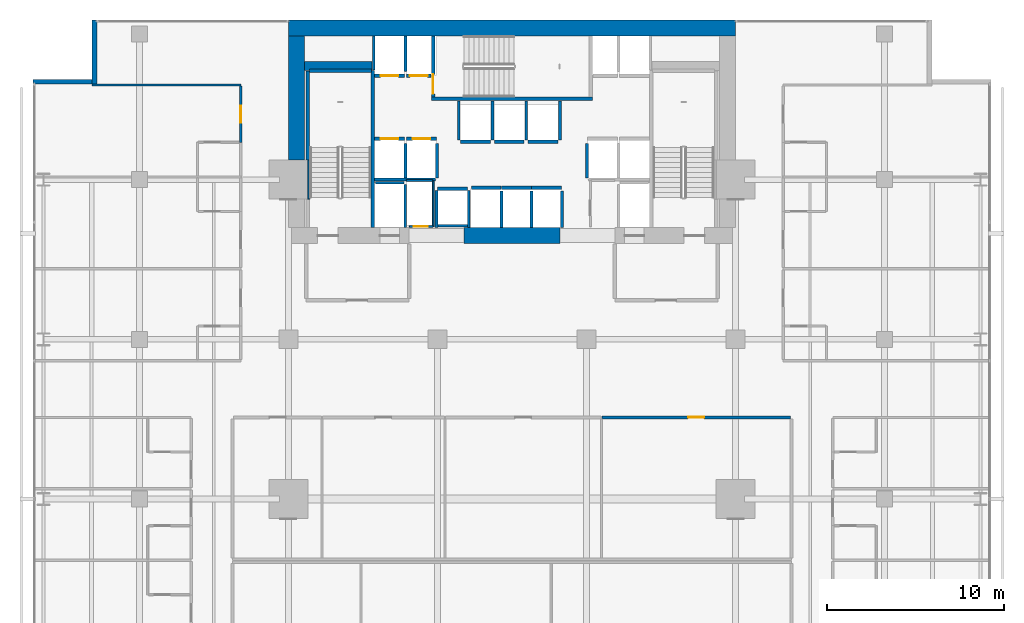
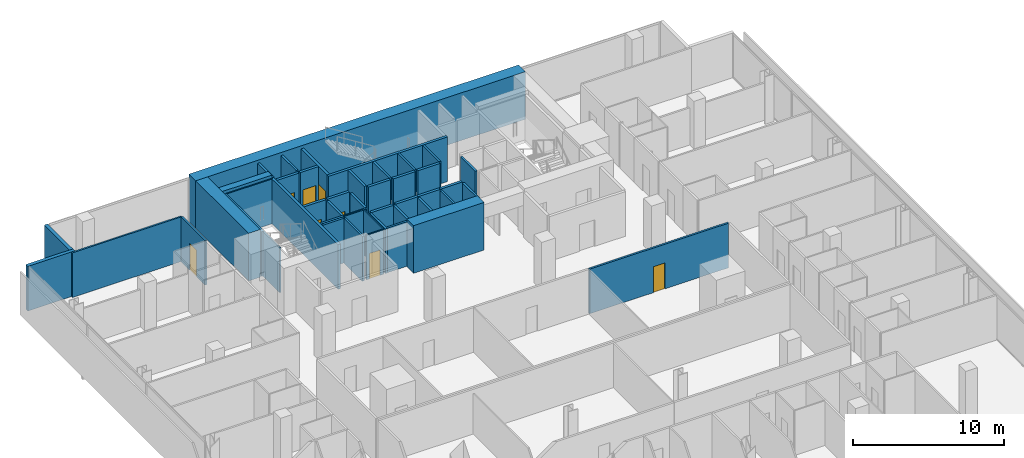
# One storey, part 36 of 40: 47 walls, 8 doors, 8 openings.
"""IFC4 building model written with IfcOpenShell, lengths in metres."""

from ifc_helpers import new_model, si_unit, direction, frame, frame_2d, origin, place, context, subcontext, project, spatial, rectangle, extrude, material, layer, layer_set, type_object, element, fill, save


model = new_model("IFC4")

# Units and contexts
model_context = context("Model", 3, precision=1e-05, world=origin(), true_north=direction((0.0, 1.0)))
body_context = subcontext(model_context, "Body", "Model", "MODEL_VIEW")
ifc_project = project(units=[si_unit("LENGTHUNIT", "METRE"), si_unit("AREAUNIT", "SQUARE_METRE"), si_unit("VOLUMEUNIT", "CUBIC_METRE"), si_unit("PLANEANGLEUNIT", "RADIAN"), si_unit("MASSUNIT", "GRAM", prefix="KILO")], contexts=[model_context])

# Site, building, storey
site_placement = place(None, origin())
site = spatial("IfcSite", under=ifc_project, at=site_placement, CompositionType="ELEMENT")
building_placement = place(site_placement, origin())
building = spatial("IfcBuilding", under=site, at=building_placement, Name="Maruvema Waterfront Hotel and Observation Tower", CompositionType="ELEMENT")
storey_placement = place(building_placement, frame((0.0, 0.0, 80.85009765625)))
storey = spatial("IfcBuildingStorey", under=building, at=storey_placement, Name="L19", CompositionType="ELEMENT", Elevation=80.85009765625)

# Wall, opening, door
ifc_material_1 = material(Name="Twin-stud acoustic gypsum drywall", Category="gypsum")
ifc_layer_1 = layer(ifc_material_1, 0.14990234375, Name="Acoustic Corridor and Suite Demising Wall 150 mm")
ifc_layer_set_1 = layer_set([ifc_layer_1], Name="Twin-stud acoustic gypsum drywall")
wall_type_1 = type_object("IfcWallType", Name="Acoustic Corridor and Suite Demising Wall 150 mm", PredefinedType="PARTITIONING", material=ifc_layer_set_1)
wall_1_placement = place(storey_placement, frame((42.8701171875, 31.60009765625, 0.0), z_axis=(0.0, 0.0, 1.0), x_axis=(1.0, 0.0, 0.0)))
wall_1 = element("IfcWall", 1, at=wall_1_placement, inside=storey, type_object=wall_type_1, Name="L19 L19-INTN Front 4 021", PredefinedType="PARTITIONING", context=body_context, shape_type="SweptSolid", body=[
    extrude(rectangle(XDim=10.619873046875, YDim=0.14990234375, at=frame_2d((5.31005859375, 0.0))), origin(), (0.0, 0.0, 1.0), 3.60986328125),
])
opening_1_placement = place(wall_1_placement, frame((4.860107421875, 0.0, 0.0)))
opening_1 = element("IfcOpeningElement", 2, at=opening_1_placement, cuts=wall_1, Name="Opening DR-090", PredefinedType="OPENING", context=body_context, shape_type="SweptSolid", body=[
    extrude(rectangle(XDim=0.89990234375, YDim=2.10009765625, at=frame_2d((0.449951171875, 1.050048828125))), frame((0.0, 0.0849609375, 0.0), z_axis=(0.0, -1.0, 0.0), x_axis=(1.0, 0.0, 0.0)), (0.0, 0.0, 1.0), 0.169921875),
])
ifc_material_2 = material(Name="Solid-core lacquered timber leaf", Category="wood")
door_type_1 = type_object("IfcDoorType", Name="Accessible Toilet and Room Door 900x2100 mm", OperationType="NOTDEFINED", PredefinedType="DOOR", material=ifc_material_2)
door_1_placement = place(opening_1_placement, origin())
door_1 = element("IfcDoor", 3, at=door_1_placement, inside=storey, type_object=door_type_1, Name="L19 Refreshment Kitchen Door", OperationType="SINGLE_SWING_LEFT", OverallHeight=2.10009765625, OverallWidth=0.89990234375, PredefinedType="DOOR", context=body_context, shape_type="SweptSolid", body=[
    extrude(rectangle(XDim=0.89990234375, YDim=2.10009765625, at=frame_2d((0.449951171875, 1.050048828125))), frame((0.0, 0.02490234375, 0.0), z_axis=(0.0, -1.0, 0.0), x_axis=(1.0, 0.0, 0.0)), (0.0, 0.0, 1.0), 0.050048828125),
])
fill(opening_1, door_1)

wall_2_placement = place(storey_placement, frame((22.52001953125, 47.1083984375, 0.0), z_axis=(0.0, 0.0, 1.0), x_axis=(0.0, 1.0, 0.0)))
wall_2 = element("IfcWall", 4, at=wall_2_placement, inside=storey, type_object=wall_type_1, Name="L19 Room L19-NW3 Corridor Wall 133", PredefinedType="PARTITIONING", context=body_context, shape_type="SweptSolid", body=[
    extrude(rectangle(XDim=3.169189453125, YDim=0.14990234375, at=frame_2d((1.58447265625, 0.0))), origin(), (0.0, 0.0, 1.0), 3.60986328125),
])
opening_2_placement = place(wall_2_placement, frame((1.109619140625, 0.0, 0.0)))
opening_2 = element("IfcOpeningElement", 5, at=opening_2_placement, cuts=wall_2, Name="Opening DR-095", PredefinedType="OPENING", context=body_context, shape_type="SweptSolid", body=[
    extrude(rectangle(XDim=0.949951171875, YDim=2.14990234375, at=frame_2d((0.47509765625, 1.074951171875))), frame((0.0, 0.0849609375, 0.0), z_axis=(0.0, -1.0, 0.0), x_axis=(1.0, 0.0, 0.0)), (0.0, 0.0, 1.0), 0.169921875),
])
ifc_material_3 = material(Name="Acoustic solid-core hardwood timber leaf", Category="wood")
door_type_2 = type_object("IfcDoorType", Name="Guestroom Entrance Fire Door 950x2150 mm", OperationType="NOTDEFINED", PredefinedType="DOOR", material=ifc_material_3)
door_2_placement = place(opening_2_placement, origin())
door_2 = element("IfcDoor", 6, at=door_2_placement, inside=storey, type_object=door_type_2, Name="L19 Room L19-NW3 Entrance Door", OperationType="SINGLE_SWING_LEFT", OverallHeight=2.14990234375, OverallWidth=0.949951171875, PredefinedType="DOOR", context=body_context, shape_type="SweptSolid", body=[
    extrude(rectangle(XDim=0.949951171875, YDim=2.14990234375, at=frame_2d((0.47509765625, 1.074951171875))), frame((0.0, 0.02490234375, 0.0), z_axis=(0.0, -1.0, 0.0), x_axis=(1.0, 0.0, 0.0)), (0.0, 0.0, 1.0), 0.050048828125),
])
fill(opening_2, door_2)

# Walls
ifc_material_4 = material(Name="Precast concrete C45/55", Category="concrete")
ifc_layer_2 = layer(ifc_material_4, 0.199951171875, Name="Core Shaft and Stairwell Enclosure Wall 200 mm")
ifc_layer_set_2 = layer_set([ifc_layer_2], Name="Precast concrete C45/55")
wall_type_2 = type_object("IfcWallType", Name="Core Shaft and Stairwell Enclosure Wall 200 mm", PredefinedType="SOLIDWALL", material=ifc_layer_set_2)
wall_3_placement = place(storey_placement, frame((29.949951171875, 42.300048828125, 0.0), z_axis=(0.0, 0.0, 1.0), x_axis=(0.0, 1.0, 0.0)))
element("IfcWall", 7, at=wall_3_placement, inside=storey, type_object=wall_type_2, Name="L19 Stairwell ST-01 East Shaft Wall", PredefinedType="SOLIDWALL", context=body_context, shape_type="SweptSolid", body=[
    extrude(rectangle(XDim=8.849853515625, YDim=0.199951171875, at=frame_2d((4.4248046875, 0.0))), origin(), (0.0, 0.0, 1.0), 3.60986328125),
])
wall_4_placement = place(storey_placement, frame((26.300048828125, 46.1201171875, 0.0), z_axis=(0.0, 0.0, 1.0), x_axis=(0.0, 1.0, 0.0)))
element("IfcWall", 8, at=wall_4_placement, inside=storey, type_object=wall_type_2, Name="L19 Stairwell ST-01 Shaft Lining Wall", PredefinedType="SOLIDWALL", context=body_context, shape_type="SweptSolid", body=[
    extrude(rectangle(XDim=5.0, YDim=0.199951171875, at=frame_2d((2.5, 0.0))), origin(), (0.0, 0.0, 1.0), 3.60986328125),
])
wall_5_placement = place(storey_placement, frame((26.3798828125, 51.14990234375, 0.0), z_axis=(0.0, 0.0, 1.0), x_axis=(1.0, 0.0, 0.0)))
element("IfcWall", 9, at=wall_5_placement, inside=storey, type_object=wall_type_2, Name="L19 Stairwell ST-01 Shaft Lining Wall", PredefinedType="SOLIDWALL", context=body_context, shape_type="SweptSolid", body=[
    extrude(rectangle(XDim=3.5, YDim=0.199951171875, at=frame_2d((1.75, 0.0))), origin(), (0.0, 0.0, 1.0), 3.60986328125),
])
wall_6_placement = place(storey_placement, frame((33.25, 49.550048828125, 0.0), z_axis=(0.0, 0.0, 1.0), x_axis=(1.0, 0.0, 0.0)))
element("IfcWall", 10, at=wall_6_placement, inside=storey, type_object=wall_type_2, Name="L19 Stairwell ST-02 Shaft Wall", PredefinedType="SOLIDWALL", context=body_context, shape_type="SweptSolid", body=[
    extrude(rectangle(XDim=9.10009765625, YDim=0.199951171875, at=frame_2d((4.550048828125, 0.0))), origin(), (0.0, 0.0, 1.0), 3.60986328125),
])

# Wall, opening, door
wall_7_placement = place(storey_placement, frame((33.35009765625, 49.64990234375, 0.0), z_axis=(0.0, 0.0, 1.0), x_axis=(0.0, 1.0, 0.0)))
wall_7 = element("IfcWall", 11, at=wall_7_placement, inside=storey, type_object=wall_type_2, Name="L19 Stairwell ST-02 Shaft Wall", PredefinedType="SOLIDWALL", context=body_context, shape_type="SweptSolid", body=[
    extrude(rectangle(XDim=3.4501953125, YDim=0.199951171875, at=frame_2d((1.72509765625, 0.0))), origin(), (0.0, 0.0, 1.0), 3.60986328125),
])
opening_3_placement = place(wall_7_placement, frame((0.179931640625, 0.0, 0.0)))
opening_3 = element("IfcOpeningElement", 12, at=opening_3_placement, cuts=wall_7, Name="Opening SD-02", PredefinedType="OPENING", context=body_context, shape_type="SweptSolid", body=[
    extrude(rectangle(XDim=1.10009765625, YDim=2.14990234375, at=frame_2d((0.550048828125, 1.074951171875))), frame((0.0, 0.10986328125, 0.0), z_axis=(0.0, -1.0, 0.0), x_axis=(1.0, 0.0, 0.0)), (0.0, 0.0, 1.0), 0.219970703125),
])
ifc_material_5 = material(Name="Fire-rated galvanised steel leaf", Category="steel")
door_type_3 = type_object("IfcDoorType", Name="Central Exit Stair Fire Door 1100x2150 mm", OperationType="NOTDEFINED", PredefinedType="DOOR", material=ifc_material_5)
door_3_placement = place(opening_3_placement, frame((1.10009765625, 0.0, 0.0), z_axis=(0.0, 0.0, 1.0), x_axis=(-1.0, 0.0, 0.0)))
door_3 = element("IfcDoor", 13, at=door_3_placement, inside=storey, type_object=door_type_3, Name="L19 Exit Stair ST-02 Fire Door", OperationType="SINGLE_SWING_LEFT", OverallHeight=2.14990234375, OverallWidth=1.10009765625, PredefinedType="DOOR", context=body_context, shape_type="SweptSolid", body=[
    extrude(rectangle(XDim=1.10009765625, YDim=2.14990234375, at=frame_2d((0.550048828125, 1.074951171875))), frame((0.0, 0.02490234375, 0.0), z_axis=(0.0, -1.0, 0.0), x_axis=(1.0, 0.0, 0.0)), (0.0, 0.0, 1.0), 0.050048828125),
])
fill(opening_3, door_3)

wall_8_placement = place(storey_placement, frame((30.06005859375, 47.300048828125, 0.0), z_axis=(0.0, 0.0, 1.0), x_axis=(1.0, 0.0, 0.0)))
wall_8 = element("IfcWall", 14, at=wall_8_placement, inside=storey, type_object=wall_type_2, Name="L19 Lift LF-01 Hoistway Front Wall", PredefinedType="SOLIDWALL", context=body_context, shape_type="SweptSolid", body=[
    extrude(rectangle(XDim=1.679931640625, YDim=0.199951171875, at=frame_2d((0.83984375, 0.0))), origin(), (0.0, 0.0, 1.0), 3.60986328125),
])
opening_4_placement = place(wall_8_placement, frame((0.340087890625, 0.0, 0.0)))
opening_4 = element("IfcOpeningElement", 15, at=opening_4_placement, cuts=wall_8, Name="Opening LD-01", PredefinedType="OPENING", context=body_context, shape_type="SweptSolid", body=[
    extrude(rectangle(XDim=1.0, YDim=2.14990234375, at=frame_2d((0.5, 1.074951171875))), frame((0.0, 0.10986328125, 0.0), z_axis=(0.0, -1.0, 0.0), x_axis=(1.0, 0.0, 0.0)), (0.0, 0.0, 1.0), 0.219970703125),
])
ifc_material_6 = material(Name="Brushed stainless steel Grade 316", Category="steel")
door_type_4 = type_object("IfcDoorType", Name="Passenger Lift Sliding Landing Door 1000x2150 mm", OperationType="SLIDING_TO_LEFT", PredefinedType="DOOR", material=ifc_material_6)
door_4_placement = place(opening_4_placement, origin())
door_4 = element("IfcDoor", 16, at=door_4_placement, inside=storey, type_object=door_type_4, Name="L19 Lift LF-01 Sliding Landing Door", OperationType="SLIDING_TO_LEFT", OverallHeight=2.14990234375, OverallWidth=1.0, PredefinedType="DOOR", context=body_context, shape_type="SweptSolid", body=[
    extrude(rectangle(XDim=1.0, YDim=2.14990234375, at=frame_2d((0.5, 1.074951171875))), frame((0.0, 0.02490234375, 0.0), z_axis=(0.0, -1.0, 0.0), x_axis=(1.0, 0.0, 0.0)), (0.0, 0.0, 1.0), 0.050048828125),
])
fill(opening_4, door_4)

wall_9_placement = place(storey_placement, frame((31.860107421875, 47.300048828125, 0.0), z_axis=(0.0, 0.0, 1.0), x_axis=(1.0, 0.0, 0.0)))
wall_9 = element("IfcWall", 17, at=wall_9_placement, inside=storey, type_object=wall_type_2, Name="L19 Lift LF-02 Hoistway Front Wall", PredefinedType="SOLIDWALL", context=body_context, shape_type="SweptSolid", body=[
    extrude(rectangle(XDim=1.679931640625, YDim=0.199951171875, at=frame_2d((0.83984375, 0.0))), origin(), (0.0, 0.0, 1.0), 3.60986328125),
])
opening_5_placement = place(wall_9_placement, frame((0.340087890625, 0.0, 0.0)))
opening_5 = element("IfcOpeningElement", 18, at=opening_5_placement, cuts=wall_9, Name="Opening LD-01", PredefinedType="OPENING", context=body_context, shape_type="SweptSolid", body=[
    extrude(rectangle(XDim=1.0, YDim=2.14990234375, at=frame_2d((0.5, 1.074951171875))), frame((0.0, 0.10986328125, 0.0), z_axis=(0.0, -1.0, 0.0), x_axis=(1.0, 0.0, 0.0)), (0.0, 0.0, 1.0), 0.219970703125),
])
door_5_placement = place(opening_5_placement, origin())
door_5 = element("IfcDoor", 19, at=door_5_placement, inside=storey, type_object=door_type_4, Name="L19 Lift LF-02 Sliding Landing Door", OperationType="SLIDING_TO_LEFT", OverallHeight=2.14990234375, OverallWidth=1.0, PredefinedType="DOOR", context=body_context, shape_type="SweptSolid", body=[
    extrude(rectangle(XDim=1.0, YDim=2.14990234375, at=frame_2d((0.5, 1.074951171875))), frame((0.0, 0.02490234375, 0.0), z_axis=(0.0, -1.0, 0.0), x_axis=(1.0, 0.0, 0.0)), (0.0, 0.0, 1.0), 0.050048828125),
])
fill(opening_5, door_5)

wall_10_placement = place(storey_placement, frame((30.06005859375, 50.85009765625, 0.0), z_axis=(0.0, 0.0, 1.0), x_axis=(1.0, 0.0, 0.0)))
wall_10 = element("IfcWall", 20, at=wall_10_placement, inside=storey, type_object=wall_type_2, Name="L19 Lift LF-03 Hoistway Front Wall", PredefinedType="SOLIDWALL", context=body_context, shape_type="SweptSolid", body=[
    extrude(rectangle(XDim=1.679931640625, YDim=0.199951171875, at=frame_2d((0.83984375, 0.0))), origin(), (0.0, 0.0, 1.0), 3.60986328125),
])
opening_6_placement = place(wall_10_placement, frame((0.340087890625, 0.0, 0.0)))
opening_6 = element("IfcOpeningElement", 21, at=opening_6_placement, cuts=wall_10, Name="Opening LD-01", PredefinedType="OPENING", context=body_context, shape_type="SweptSolid", body=[
    extrude(rectangle(XDim=1.0, YDim=2.14990234375, at=frame_2d((0.5, 1.074951171875))), frame((0.0, 0.10986328125, 0.0), z_axis=(0.0, -1.0, 0.0), x_axis=(1.0, 0.0, 0.0)), (0.0, 0.0, 1.0), 0.219970703125),
])
door_6_placement = place(opening_6_placement, frame((1.0, 0.0, 0.0), z_axis=(0.0, 0.0, 1.0), x_axis=(-1.0, 0.0, 0.0)))
door_6 = element("IfcDoor", 22, at=door_6_placement, inside=storey, type_object=door_type_4, Name="L19 Lift LF-03 Sliding Landing Door", OperationType="SLIDING_TO_LEFT", OverallHeight=2.14990234375, OverallWidth=1.0, PredefinedType="DOOR", context=body_context, shape_type="SweptSolid", body=[
    extrude(rectangle(XDim=1.0, YDim=2.14990234375, at=frame_2d((0.5, 1.074951171875))), frame((0.0, 0.02490234375, 0.0), z_axis=(0.0, -1.0, 0.0), x_axis=(1.0, 0.0, 0.0)), (0.0, 0.0, 1.0), 0.050048828125),
])
fill(opening_6, door_6)

wall_11_placement = place(storey_placement, frame((31.860107421875, 50.85009765625, 0.0), z_axis=(0.0, 0.0, 1.0), x_axis=(1.0, 0.0, 0.0)))
wall_11 = element("IfcWall", 23, at=wall_11_placement, inside=storey, type_object=wall_type_2, Name="L19 Lift LF-04 Hoistway Front Wall", PredefinedType="SOLIDWALL", context=body_context, shape_type="SweptSolid", body=[
    extrude(rectangle(XDim=1.3798828125, YDim=0.199951171875, at=frame_2d((0.68994140625, 0.0))), origin(), (0.0, 0.0, 1.0), 3.60986328125),
])
opening_7_placement = place(wall_11_placement, frame((0.18994140625, 0.0, 0.0)))
opening_7 = element("IfcOpeningElement", 24, at=opening_7_placement, cuts=wall_11, Name="Opening LD-01", PredefinedType="OPENING", context=body_context, shape_type="SweptSolid", body=[
    extrude(rectangle(XDim=1.0, YDim=2.14990234375, at=frame_2d((0.5, 1.074951171875))), frame((0.0, 0.10986328125, 0.0), z_axis=(0.0, -1.0, 0.0), x_axis=(1.0, 0.0, 0.0)), (0.0, 0.0, 1.0), 0.219970703125),
])
door_7_placement = place(opening_7_placement, frame((1.0, 0.0, 0.0), z_axis=(0.0, 0.0, 1.0), x_axis=(-1.0, 0.0, 0.0)))
door_7 = element("IfcDoor", 25, at=door_7_placement, inside=storey, type_object=door_type_4, Name="L19 Lift LF-04 Sliding Landing Door", OperationType="SLIDING_TO_LEFT", OverallHeight=2.14990234375, OverallWidth=1.0, PredefinedType="DOOR", context=body_context, shape_type="SweptSolid", body=[
    extrude(rectangle(XDim=1.0, YDim=2.14990234375, at=frame_2d((0.5, 1.074951171875))), frame((0.0, 0.02490234375, 0.0), z_axis=(0.0, -1.0, 0.0), x_axis=(1.0, 0.0, 0.0)), (0.0, 0.0, 1.0), 0.050048828125),
])
fill(opening_7, door_7)

# Walls
for number, where, z_axis, x_axis, name in (
    (26, (35.510009765625, 44.550048828125, 0.0), (0.0, 0.0, 1.0), (1.0, 0.0, 0.0), "L19 Lift LF-09 Hoistway Front Wall"),
    (27, (37.2099609375, 44.550048828125, 0.0), (0.0, 0.0, 1.0), (1.0, 0.0, 0.0), "L19 Lift LF-10 Hoistway Front Wall"),
):
    element("IfcWall", number, at=place(storey_placement, frame(where, z_axis=z_axis, x_axis=x_axis)), inside=storey, type_object=wall_type_2, Name=name, PredefinedType="SOLIDWALL", context=body_context, shape_type="SweptSolid", body=[
        extrude(rectangle(XDim=1.679931640625, YDim=0.199951171875, at=frame_2d((0.83984375, 0.0))), origin(), (0.0, 0.0, 1.0), 3.60986328125),
    ])
for number, where, z_axis, x_axis, name in (
    (28, (38.909912109375, 44.550048828125, 0.0), (0.0, 0.0, 1.0), (1.0, 0.0, 0.0), "L19 Lift LF-11 Hoistway Front Wall"),
    (29, (34.909912109375, 47.14990234375, 0.0), (0.0, 0.0, 1.0), (1.0, 0.0, 0.0), "L19 Lift LF-12 Hoistway Front Wall"),
):
    element("IfcWall", number, at=place(storey_placement, frame(where, z_axis=z_axis, x_axis=x_axis)), inside=storey, type_object=wall_type_2, Name=name, PredefinedType="SOLIDWALL", context=body_context, shape_type="SweptSolid", body=[
        extrude(rectangle(XDim=1.68017578125, YDim=0.199951171875, at=frame_2d((0.840087890625, 0.0))), origin(), (0.0, 0.0, 1.0), 3.60986328125),
    ])
for number, where, z_axis, x_axis, name in (
    (30, (36.81005859375, 47.14990234375, 0.0), (0.0, 0.0, 1.0), (1.0, 0.0, 0.0), "L19 Lift LF-13 Hoistway Front Wall"),
    (31, (38.7099609375, 47.14990234375, 0.0), (0.0, 0.0, 1.0), (1.0, 0.0, 0.0), "L19 Lift LF-14 Hoistway Front Wall"),
    (32, (33.610107421875, 44.5, 0.0), (0.0, 0.0, 1.0), (1.0, 0.0, 0.0), "L19 Lift LF-15 Hoistway Front Wall"),
):
    element("IfcWall", number, at=place(storey_placement, frame(where, z_axis=z_axis, x_axis=x_axis)), inside=storey, type_object=wall_type_2, Name=name, PredefinedType="SOLIDWALL", context=body_context, shape_type="SweptSolid", body=[
        extrude(rectangle(XDim=1.679931640625, YDim=0.199951171875, at=frame_2d((0.83984375, 0.0))), origin(), (0.0, 0.0, 1.0), 3.60986328125),
    ])
ifc_material_7 = material(Name="Concrete C70/85", Category="concrete")
ifc_layer_3 = layer(ifc_material_7, 0.5, Name="Core Shear Wall 500 mm")
ifc_layer_set_3 = layer_set([ifc_layer_3], Name="Concrete C70/85")
wall_type_3 = type_object("IfcWallType", Name="Core Shear Wall 500 mm", PredefinedType="SHEAR", material=ifc_layer_set_3)
wall_12_placement = place(storey_placement, frame((26.10009765625, 51.39990234375, 0.0), z_axis=(0.0, 0.0, 1.0), x_axis=(1.0, 0.0, 0.0)))
element("IfcWall", 33, at=wall_12_placement, inside=storey, type_object=wall_type_3, Name="L19 Internal Core Shear Wall NW 500 mm", PredefinedType="SHEAR", context=body_context, shape_type="SweptSolid", body=[
    extrude(rectangle(XDim=3.7998046875, YDim=0.5, at=frame_2d((1.89990234375, 0.0))), origin(), (0.0, 0.0, 1.0), 3.849853515625),
])
ifc_material_8 = material(Name="Concrete C80/95", Category="concrete")
ifc_layer_4 = layer(ifc_material_8, 0.89990234375, Name="Core Shear Wall 900 mm")
ifc_layer_set_4 = layer_set([ifc_layer_4], Name="Concrete C80/95")
wall_type_4 = type_object("IfcWallType", Name="Core Shear Wall 900 mm", PredefinedType="SHEAR", material=ifc_layer_set_4)
wall_13_placement = place(storey_placement, frame((25.199951171875, 53.550048828125, 0.0), z_axis=(0.0, 0.0, 1.0), x_axis=(1.0, 0.0, 0.0)))
element("IfcWall", 34, at=wall_13_placement, inside=storey, type_object=wall_type_4, Name="L19 North Core Shear Wall", PredefinedType="SHEAR", context=body_context, shape_type="SweptSolid", body=[
    extrude(rectangle(XDim=25.199951171875, YDim=0.89990234375, at=frame_2d((12.60009765625, 0.0))), origin(), (0.0, 0.0, 1.0), 3.849853515625),
])
wall_14_placement = place(storey_placement, frame((35.10009765625, 41.85009765625, 0.0), z_axis=(0.0, 0.0, 1.0), x_axis=(1.0, 0.0, 0.0)))
element("IfcWall", 35, at=wall_14_placement, inside=storey, type_object=wall_type_4, Name="L19 South-Central Core Shear Wall", PredefinedType="SHEAR", context=body_context, shape_type="SweptSolid", body=[
    extrude(rectangle(XDim=5.39990234375, YDim=0.89990234375, at=frame_2d((2.699951171875, 0.0))), origin(), (0.0, 0.0, 1.0), 3.849853515625),
])
wall_15_placement = place(storey_placement, frame((25.64990234375, 46.10009765625, 0.0), z_axis=(0.0, 0.0, 1.0), x_axis=(0.0, 1.0, 0.0)))
element("IfcWall", 36, at=wall_15_placement, inside=storey, type_object=wall_type_4, Name="L19 West-North Core Shear Wall", PredefinedType="SHEAR", context=body_context, shape_type="SweptSolid", body=[
    extrude(rectangle(XDim=7.0, YDim=0.89990234375, at=frame_2d((3.5, 0.0))), origin(), (0.0, 0.0, 1.0), 3.849853515625),
])

# Wall, opening, door
ifc_material_9 = material(Name="Moisture-resistant cement-board drywall", Category="gypsum")
ifc_layer_5 = layer(ifc_material_9, 0.10009765625, Name="En-Suite Moisture-Resistant Partition 100 mm")
ifc_layer_set_5 = layer_set([ifc_layer_5], Name="Moisture-resistant cement-board drywall")
wall_type_5 = type_object("IfcWallType", Name="En-Suite Moisture-Resistant Partition 100 mm", PredefinedType="PARTITIONING", material=ifc_layer_set_5)
wall_16_placement = place(storey_placement, frame((32.02001953125, 42.360107421875, 0.0), z_axis=(0.0, 0.0, 1.0), x_axis=(1.0, 0.0, 0.0)))
wall_16 = element("IfcWall", 37, at=wall_16_placement, inside=storey, type_object=wall_type_5, Name="L19 Telecom Riser South Wall 007", PredefinedType="PARTITIONING", context=body_context, shape_type="SweptSolid", body=[
    extrude(rectangle(XDim=1.320068359375, YDim=0.10009765625, at=frame_2d((0.66015625, 0.0))), origin(), (0.0, 0.0, 1.0), 3.60986328125),
])
opening_8_placement = place(wall_16_placement, frame((0.239990234375, 0.0, 0.0)))
opening_8 = element("IfcOpeningElement", 38, at=opening_8_placement, cuts=wall_16, Name="Opening DR-080", PredefinedType="OPENING", context=body_context, shape_type="SweptSolid", body=[
    extrude(rectangle(XDim=0.800048828125, YDim=2.050048828125, at=frame_2d((0.39990234375, 1.02490234375))), frame((0.0, 0.06005859375, 0.0), z_axis=(0.0, -1.0, 0.0), x_axis=(1.0, 0.0, 0.0)), (0.0, 0.0, 1.0), 0.1201171875),
])
ifc_material_10 = material(Name="Powder-coated steel access leaf", Category="steel")
door_type_5 = type_object("IfcDoorType", Name="Riser and Service Cupboard Door 800x2050 mm", OperationType="NOTDEFINED", PredefinedType="DOOR", material=ifc_material_10)
door_8_placement = place(opening_8_placement, frame((0.800048828125, 0.0, 0.0), z_axis=(0.0, 0.0, 1.0), x_axis=(-1.0, 0.0, 0.0)))
door_8 = element("IfcDoor", 39, at=door_8_placement, inside=storey, type_object=door_type_5, Name="L19 Telecom Riser Door", OperationType="SINGLE_SWING_RIGHT", OverallHeight=2.050048828125, OverallWidth=0.800048828125, PredefinedType="DOOR", context=body_context, shape_type="SweptSolid", body=[
    extrude(rectangle(XDim=0.800048828125, YDim=2.050048828125, at=frame_2d((0.39990234375, 1.02490234375))), frame((0.0, 0.02490234375, 0.0), z_axis=(0.0, -1.0, 0.0), x_axis=(1.0, 0.0, 0.0)), (0.0, 0.0, 1.0), 0.050048828125),
])
fill(opening_8, door_8)

# Walls
wall_17_placement = place(storey_placement, frame((31.840087890625, 44.9599609375, 0.0), z_axis=(0.0, 0.0, 1.0), x_axis=(1.0, 0.0, 0.0)))
element("IfcWall", 40, at=wall_17_placement, inside=storey, type_object=wall_type_5, Name="L19 Telecom Riser North Wall 008", PredefinedType="PARTITIONING", context=body_context, shape_type="SweptSolid", body=[
    extrude(rectangle(XDim=1.47998046875, YDim=0.10009765625, at=frame_2d((0.739990234375, 0.0))), origin(), (0.0, 0.0, 1.0), 3.60986328125),
])
wall_18_placement = place(storey_placement, frame((33.360107421875, 42.360107421875, 0.0), z_axis=(0.0, 0.0, 1.0), x_axis=(0.0, 1.0, 0.0)))
element("IfcWall", 41, at=wall_18_placement, inside=storey, type_object=wall_type_5, Name="L19 Telecom Riser East Wall 009", PredefinedType="PARTITIONING", context=body_context, shape_type="SweptSolid", body=[
    extrude(rectangle(XDim=2.579833984375, YDim=0.10009765625, at=frame_2d((1.2900390625, 0.0))), origin(), (0.0, 0.0, 1.0), 3.60986328125),
])
ifc_material_11 = material(Name="Precast concrete C45/55 with honed Pernambuco granite facing", Category="masonry")
ifc_layer_6 = layer(ifc_material_11, 0.260009765625, Name="Exterior Granite Clad Spandrel and Pier Wall 260 mm")
ifc_layer_set_6 = layer_set([ifc_layer_6], Name="Precast concrete C45/55 with honed Pernambuco granite facing")
wall_type_6 = type_object("IfcWallType", Name="Exterior Granite Clad Spandrel and Pier Wall 260 mm", PredefinedType="SOLIDWALL", material=ifc_layer_set_6)
wall_19_placement = place(storey_placement, frame((14.27001953125, 50.39990234375, 0.0), z_axis=(0.0, 0.0, 1.0), x_axis=(0.0, 1.0, 0.0)))
element("IfcWall", 42, at=wall_19_placement, inside=storey, type_object=wall_type_6, Name="L19 Corner Notch Granite Pier Wall NW1", PredefinedType="SOLIDWALL", context=body_context, shape_type="SweptSolid", body=[
    extrude(rectangle(XDim=3.60009765625, YDim=0.260009765625, at=frame_2d((1.800048828125, 0.0))), origin(), (0.0, 0.0, 1.0), 3.60986328125),
])
wall_20_placement = place(storey_placement, frame((10.800048828125, 50.530029296875, 0.0), z_axis=(0.0, 0.0, 1.0), x_axis=(1.0, 0.0, 0.0)))
element("IfcWall", 43, at=wall_20_placement, inside=storey, type_object=wall_type_6, Name="L19 Corner Notch Granite Pier Wall NW2", PredefinedType="SOLIDWALL", context=body_context, shape_type="SweptSolid", body=[
    extrude(rectangle(XDim=3.599853515625, YDim=0.260009765625, at=frame_2d((1.7998046875, 0.0))), origin(), (0.0, 0.0, 1.0), 3.60986328125),
])
ifc_material_12 = material(Name="Acoustic gypsum plasterboard drywall", Category="gypsum")
ifc_layer_7 = layer(ifc_material_12, 0.125, Name="Guestroom Acoustic Demising Wall 125 mm")
ifc_layer_set_7 = layer_set([ifc_layer_7], Name="Acoustic gypsum plasterboard drywall")
wall_type_7 = type_object("IfcWallType", Name="Guestroom Acoustic Demising Wall 125 mm", PredefinedType="PARTITIONING", material=ifc_layer_set_7)
wall_21_placement = place(storey_placement, frame((14.139892578125, 50.33740234375, 0.0), z_axis=(0.0, 0.0, 1.0), x_axis=(1.0, 0.0, 0.0)))
element("IfcWall", 44, at=wall_21_placement, inside=storey, type_object=wall_type_7, Name="L19 NW Top End 110", PredefinedType="PARTITIONING", context=body_context, shape_type="SweptSolid", body=[
    extrude(rectangle(XDim=8.380126953125, YDim=0.125, at=frame_2d((4.18994140625, 0.0))), origin(), (0.0, 0.0, 1.0), 3.60986328125),
])
ifc_material_13 = material(Name="Precast concrete C45/55", Category="concrete")
ifc_layer_8 = layer(ifc_material_13, 0.159912109375, Name="Lift Hoistway Divider Wall 160 mm")
ifc_layer_set_8 = layer_set([ifc_layer_8], Name="Precast concrete C45/55")
wall_type_8 = type_object("IfcWallType", Name="Lift Hoistway Divider Wall 160 mm", PredefinedType="SOLIDWALL", material=ifc_layer_set_8)
wall_22_placement = place(storey_placement, frame((30.10009765625, 44.830078125, 0.0), z_axis=(0.0, 0.0, 1.0), x_axis=(1.0, 0.0, 0.0)))
element("IfcWall", 45, at=wall_22_placement, inside=storey, type_object=wall_type_8, Name="L19 Lift FL-01 Rear Hoistway Wall", PredefinedType="SOLIDWALL", context=body_context, shape_type="SweptSolid", body=[
    extrude(rectangle(XDim=1.599853515625, YDim=0.159912109375, at=frame_2d((0.7998046875, 0.0))), origin(), (0.0, 0.0, 1.0), 3.60986328125),
])
wall_23_placement = place(storey_placement, frame((31.780029296875, 42.300048828125, 0.0), z_axis=(0.0, 0.0, 1.0), x_axis=(0.0, 1.0, 0.0)))
element("IfcWall", 46, at=wall_23_placement, inside=storey, type_object=wall_type_8, Name="L19 Lift FL-01 Inner Hoistway Wall", PredefinedType="SOLIDWALL", context=body_context, shape_type="SweptSolid", body=[
    extrude(rectangle(XDim=2.43994140625, YDim=0.159912109375, at=frame_2d((1.219970703125, 0.0))), origin(), (0.0, 0.0, 1.0), 3.60986328125),
])
for number, where, z_axis, x_axis, name in (
    (47, (31.800048828125, 45.10009765625, 0.0), (0.0, 0.0, 1.0), (0.0, 1.0, 0.0), "L19 Hoistway Divider Wall"),
    (48, (33.580078125, 45.10009765625, 0.0), (0.0, 0.0, 1.0), (0.0, 1.0, 0.0), "L19 Hoistway Divider Wall"),
):
    element("IfcWall", number, at=place(storey_placement, frame(where, z_axis=z_axis, x_axis=x_axis)), inside=storey, type_object=wall_type_8, Name=name, PredefinedType="SOLIDWALL", context=body_context, shape_type="SweptSolid", body=[
        extrude(rectangle(XDim=1.949951171875, YDim=0.159912109375, at=frame_2d((0.97509765625, 0.0))), origin(), (0.0, 0.0, 1.0), 3.60986328125),
    ])
wall_24_placement = place(storey_placement, frame((30.050048828125, 45.010009765625, 0.0), z_axis=(0.0, 0.0, 1.0), x_axis=(1.0, 0.0, 0.0)))
element("IfcWall", 49, at=wall_24_placement, inside=storey, type_object=wall_type_8, Name="L19 Hoistway Divider Wall", PredefinedType="SOLIDWALL", context=body_context, shape_type="SweptSolid", body=[
    extrude(rectangle(XDim=3.449951171875, YDim=0.159912109375, at=frame_2d((1.72509765625, 0.0))), origin(), (0.0, 0.0, 1.0), 3.60986328125),
])
wall_25_placement = place(storey_placement, frame((30.010009765625, 51.179931640625, 0.0), z_axis=(0.0, 0.0, 1.0), x_axis=(0.0, 1.0, 0.0)))
element("IfcWall", 50, at=wall_25_placement, inside=storey, type_object=wall_type_8, Name="L19 Hoistway Divider Wall", PredefinedType="SOLIDWALL", context=body_context, shape_type="SweptSolid", body=[
    extrude(rectangle(XDim=1.920166015625, YDim=0.159912109375, at=frame_2d((0.9599609375, 0.0))), origin(), (0.0, 0.0, 1.0), 3.60986328125),
])
wall_26_placement = place(storey_placement, frame((31.800048828125, 51.10009765625, 0.0), z_axis=(0.0, 0.0, 1.0), x_axis=(0.0, 1.0, 0.0)))
element("IfcWall", 51, at=wall_26_placement, inside=storey, type_object=wall_type_8, Name="L19 Hoistway Divider Wall", PredefinedType="SOLIDWALL", context=body_context, shape_type="SweptSolid", body=[
    extrude(rectangle(XDim=2.0, YDim=0.159912109375, at=frame_2d((1.0, 0.0))), origin(), (0.0, 0.0, 1.0), 3.60986328125),
])
wall_27_placement = place(storey_placement, frame((42.02001953125, 45.10009765625, 0.0), z_axis=(0.0, 0.0, 1.0), x_axis=(0.0, 1.0, 0.0)))
element("IfcWall", 52, at=wall_27_placement, inside=storey, type_object=wall_type_8, Name="L19 Hoistway Divider Wall", PredefinedType="SOLIDWALL", context=body_context, shape_type="SweptSolid", body=[
    extrude(rectangle(XDim=1.949951171875, YDim=0.159912109375, at=frame_2d((0.97509765625, 0.0))), origin(), (0.0, 0.0, 1.0), 3.60986328125),
])
for number, where, z_axis, x_axis, name in (
    (53, (37.199951171875, 42.300048828125, 0.0), (0.0, 0.0, 1.0), (0.0, 1.0, 0.0), "L19 Hoistway Divider Wall"),
    (54, (38.89990234375, 42.300048828125, 0.0), (0.0, 0.0, 1.0), (0.0, 1.0, 0.0), "L19 Hoistway Divider Wall"),
    (55, (40.6201171875, 42.300048828125, 0.0), (0.0, 0.0, 1.0), (0.0, 1.0, 0.0), "L19 Hoistway Divider Wall"),
):
    element("IfcWall", number, at=place(storey_placement, frame(where, z_axis=z_axis, x_axis=x_axis)), inside=storey, type_object=wall_type_8, Name=name, PredefinedType="SOLIDWALL", context=body_context, shape_type="SweptSolid", body=[
        extrude(rectangle(XDim=2.050048828125, YDim=0.159912109375, at=frame_2d((1.02490234375, 0.0))), origin(), (0.0, 0.0, 1.0), 3.60986328125),
    ])
for number, where, z_axis, x_axis, name in (
    (56, (34.800048828125, 47.25, 0.0), (0.0, 0.0, 1.0), (0.0, 1.0, 0.0), "L19 Hoistway Divider Wall"),
    (57, (36.699951171875, 47.25, 0.0), (0.0, 0.0, 1.0), (0.0, 1.0, 0.0), "L19 Hoistway Divider Wall"),
    (58, (38.60009765625, 47.25, 0.0), (0.0, 0.0, 1.0), (0.0, 1.0, 0.0), "L19 Hoistway Divider Wall"),
    (59, (40.5, 47.25, 0.0), (0.0, 0.0, 1.0), (0.0, 1.0, 0.0), "L19 Hoistway Divider Wall"),
):
    element("IfcWall", number, at=place(storey_placement, frame(where, z_axis=z_axis, x_axis=x_axis)), inside=storey, type_object=wall_type_8, Name=name, PredefinedType="SOLIDWALL", context=body_context, shape_type="SweptSolid", body=[
        extrude(rectangle(XDim=2.18994140625, YDim=0.159912109375, at=frame_2d((1.094970703125, 0.0))), origin(), (0.0, 0.0, 1.0), 3.60986328125),
    ])
for number, where, z_axis, x_axis, name in (
    (60, (33.5400390625, 42.300048828125, 0.0), (0.0, 0.0, 1.0), (0.0, 1.0, 0.0), "L19 Hoistway Divider Wall"),
    (61, (35.360107421875, 42.300048828125, 0.0), (0.0, 0.0, 1.0), (0.0, 1.0, 0.0), "L19 Hoistway Divider Wall"),
):
    element("IfcWall", number, at=place(storey_placement, frame(where, z_axis=z_axis, x_axis=x_axis)), inside=storey, type_object=wall_type_8, Name=name, PredefinedType="SOLIDWALL", context=body_context, shape_type="SweptSolid", body=[
        extrude(rectangle(XDim=2.099853515625, YDim=0.159912109375, at=frame_2d((1.0498046875, 0.0))), origin(), (0.0, 0.0, 1.0), 3.60986328125),
    ])
wall_28_placement = place(storey_placement, frame((33.6201171875, 42.39990234375, 0.0), z_axis=(0.0, 0.0, 1.0), x_axis=(1.0, 0.0, 0.0)))
element("IfcWall", 62, at=wall_28_placement, inside=storey, type_object=wall_type_8, Name="L19 Hoistway Divider Wall", PredefinedType="SOLIDWALL", context=body_context, shape_type="SweptSolid", body=[
    extrude(rectangle(XDim=1.659912109375, YDim=0.159912109375, at=frame_2d((0.830078125, 0.0))), origin(), (0.0, 0.0, 1.0), 3.60986328125),
])
ifc_material_14 = material(Name="Precast concrete C45/55", Category="concrete")
ifc_layer_9 = layer(ifc_material_14, 0.10009765625, Name="Stairwell Stringer Cheek Wall 100 mm")
ifc_layer_set_9 = layer_set([ifc_layer_9], Name="Precast concrete C45/55")
wall_type_9 = type_object("IfcWallType", Name="Stairwell Stringer Cheek Wall 100 mm", PredefinedType="SOLIDWALL", material=ifc_layer_set_9)
wall_29_placement = place(storey_placement, frame((26.35205078125, 43.89990234375, 0.0), z_axis=(0.0, 0.0, 1.0), x_axis=(0.0, 1.0, 0.0)))
element("IfcWall", 63, at=wall_29_placement, inside=storey, type_object=wall_type_9, Name="L19 Stairwell ST-01 Mega-Column Cheek Wall", PredefinedType="SOLIDWALL", context=body_context, shape_type="SweptSolid", body=[
    extrude(rectangle(XDim=2.2001953125, YDim=0.10009765625, at=frame_2d((1.10009765625, 0.0))), origin(), (0.0, 0.0, 1.0), 3.60986328125),
])

save(model, "model.ifc")
